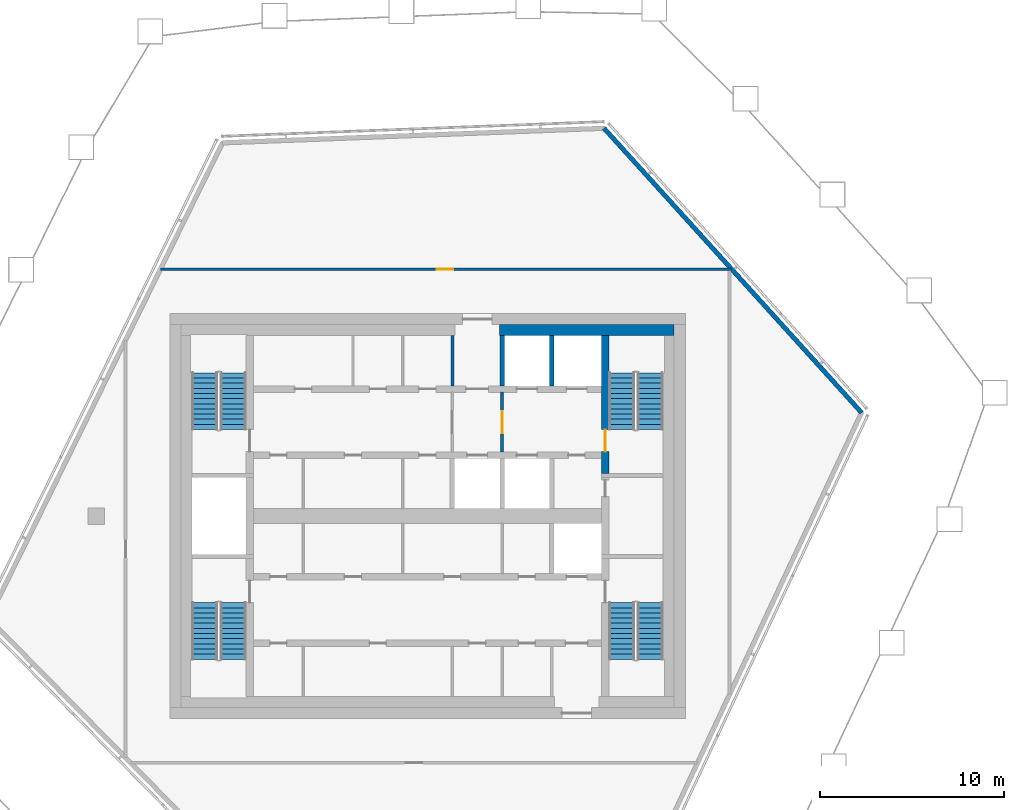
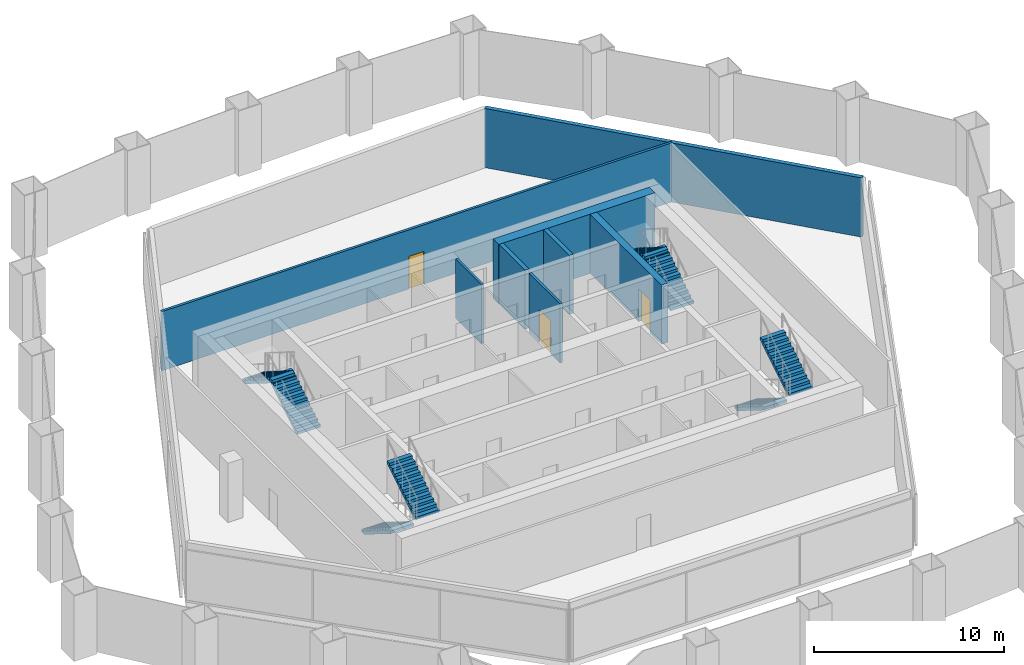
# One storey, part 9 of 18: 8 stair flights, 8 walls, 3 doors, 3 openings, 4 elements without a shape of their own.
"""IFC4 building model written with IfcOpenShell, lengths in metres."""

from ifc_helpers import new_model, si_unit, direction, frame, frame_2d, origin, place, context, subcontext, project, spatial, polyline, rectangle, outline, extrude, material, layer, layer_set, type_object, element, fill, aggregate, save


model = new_model("IFC4")

# Units and contexts
model_context = context("Model", 3, precision=1e-05, world=origin(), true_north=direction((0.0, 1.0)))
body_context = subcontext(model_context, "Body", "Model", "MODEL_VIEW")
ifc_project = project(units=[si_unit("LENGTHUNIT", "METRE"), si_unit("AREAUNIT", "SQUARE_METRE"), si_unit("VOLUMEUNIT", "CUBIC_METRE"), si_unit("PLANEANGLEUNIT", "RADIAN"), si_unit("MASSUNIT", "GRAM", prefix="KILO")], contexts=[model_context])

# Site, building, storey
site_placement = place(None, origin())
site = spatial("IfcSite", under=ifc_project, at=site_placement, CompositionType="ELEMENT")
building_placement = place(site_placement, origin())
building = spatial("IfcBuilding", under=site, at=building_placement, Name="Dongbaek Canopy Tower", CompositionType="ELEMENT")
storey_placement = place(building_placement, frame((0.0, 0.0, 367.39990234375)))
storey = spatial("IfcBuildingStorey", under=building, at=storey_placement, Name="L79", CompositionType="ELEMENT", Elevation=367.39990234375)

# Wall
ifc_material_1 = material(Name="Concrete C60/75", Category="concrete")
ifc_layer_1 = layer(ifc_material_1, 0.60009765625)
ifc_layer_set_1 = layer_set([ifc_layer_1], Name="Core wall lining 600 Concrete C60/75")
wall_type_1 = type_object("IfcWallType", Name="Core wall lining 600 Concrete C60/75", PredefinedType="SHEAR", material=ifc_layer_set_1)
wall_1_placement = place(storey_placement, frame((3.89990234375, 10.10009765625, 0.0), z_axis=(0.0, 0.0, 1.0), x_axis=(1.0, 0.0, 0.0)))
element("IfcWall", 1, at=wall_1_placement, inside=storey, type_object=wall_type_1, Name="Core wall lining", PredefinedType="SHEAR", context=body_context, shape_type="SweptSolid", body=[
    extrude(rectangle(XDim=9.5, YDim=0.60009765625, at=frame_2d((4.75, 0.0))), origin(), (0.0, 0.0, 1.0), 3.800048828125),
])

# Wall, opening, door
ifc_material_2 = material(Name="Gypsum board partition, steel stud, 2 x 15 mm fire board", Category="steel")
ifc_layer_2 = layer(ifc_material_2, 0.14990234375)
ifc_layer_set_2 = layer_set([ifc_layer_2], Name="Fire-rated partition 150 gypsum board")
wall_type_2 = type_object("IfcWallType", Name="Fire-rated partition 150 gypsum board", PredefinedType="PARTITIONING", material=ifc_layer_set_2)
wall_2_placement = place(storey_placement, frame((-14.499755859375, 13.39990234375, 0.0), z_axis=(0.0, 0.0, 1.0), x_axis=(1.0, 0.0, 0.0)))
wall_2 = element("IfcWall", 2, at=wall_2_placement, inside=storey, type_object=wall_type_2, Name="Corridor partition", PredefinedType="PARTITIONING", context=body_context, shape_type="SweptSolid", body=[
    extrude(rectangle(XDim=30.974853515625, YDim=0.14990234375, at=frame_2d((15.4873046875, 0.0))), origin(), (0.0, 0.0, 1.0), 3.800048828125),
])
opening_1_placement = place(wall_2_placement, frame((15.0, 0.0, 0.0)))
opening_1 = element("IfcOpeningElement", 3, at=opening_1_placement, cuts=wall_2, Name="Opening L79-D003", PredefinedType="OPENING", context=body_context, shape_type="SweptSolid", body=[
    extrude(rectangle(XDim=0.89990234375, YDim=2.10009765625, at=frame_2d((0.449951171875, 1.050048828125))), frame((0.0, 0.0849609375, 0.0), z_axis=(0.0, -1.0, 0.0), x_axis=(1.0, 0.0, 0.0)), (0.0, 0.0, 1.0), 0.169921875),
])
ifc_material_3 = material(Name="Timber veneered door leaf", Category="wood")
door_type_1 = type_object("IfcDoorType", Name="Store door 900 x 2100", OperationType="SINGLE_SWING_LEFT", PredefinedType="DOOR", material=ifc_material_3)
door_1_placement = place(opening_1_placement, origin())
door_1 = element("IfcDoor", 4, at=door_1_placement, inside=storey, type_object=door_type_1, Name="Door L79-D003", OperationType="SINGLE_SWING_RIGHT", OverallHeight=2.10009765625, OverallWidth=0.89990234375, PredefinedType="DOOR", context=body_context, shape_type="SweptSolid", body=[
    extrude(rectangle(XDim=0.89990234375, YDim=2.10009765625, at=frame_2d((0.449951171875, 1.050048828125))), frame((0.0, 0.02490234375, 0.0), z_axis=(0.0, -1.0, 0.0), x_axis=(1.0, 0.0, 0.0)), (0.0, 0.0, 1.0), 0.050048828125),
])
fill(opening_1, door_1)

wall_3_placement = place(storey_placement, frame((4.050048828125, 6.72509765625, 0.0), z_axis=(0.0, 0.0, 1.0), x_axis=(0.0, -1.0, 0.0)))
wall_3 = element("IfcWall", 5, at=wall_3_placement, inside=storey, type_object=wall_type_2, Name="Fire lobby partition", PredefinedType="PARTITIONING", context=body_context, shape_type="SweptSolid", body=[
    extrude(rectangle(XDim=3.25, YDim=0.14990234375, at=frame_2d((1.625, 0.0))), origin(), (0.0, 0.0, 1.0), 3.800048828125),
])
opening_2_placement = place(wall_3_placement, frame((1.02490234375, 0.0, 0.0)))
opening_2 = element("IfcOpeningElement", 6, at=opening_2_placement, cuts=wall_3, Name="Opening L79-D034", PredefinedType="OPENING", context=body_context, shape_type="SweptSolid", body=[
    extrude(rectangle(XDim=1.199951171875, YDim=2.10009765625, at=frame_2d((0.60009765625, 1.050048828125))), frame((0.0, 0.0849609375, 0.0), z_axis=(0.0, -1.0, 0.0), x_axis=(1.0, 0.0, 0.0)), (0.0, 0.0, 1.0), 0.169921875),
])
ifc_material_4 = material(Name="Steel", Category="steel")
door_type_2 = type_object("IfcDoorType", Name="Fire lobby door 1200 x 2100", OperationType="SINGLE_SWING_LEFT", PredefinedType="DOOR", material=ifc_material_4)
door_2_placement = place(opening_2_placement, origin())
door_2 = element("IfcDoor", 7, at=door_2_placement, inside=storey, type_object=door_type_2, Name="Door L79-D034", OperationType="SINGLE_SWING_RIGHT", OverallHeight=2.10009765625, OverallWidth=1.199951171875, PredefinedType="DOOR", context=body_context, shape_type="SweptSolid", body=[
    extrude(rectangle(XDim=1.199951171875, YDim=2.10009765625, at=frame_2d((0.60009765625, 1.050048828125))), frame((0.0, 0.02490234375, 0.0), z_axis=(0.0, -1.0, 0.0), x_axis=(1.0, 0.0, 0.0)), (0.0, 0.0, 1.0), 0.050048828125),
])
fill(opening_2, door_2)

# Walls
wall_4_placement = place(storey_placement, frame((1.35009765625, 7.074951171875, 0.0), z_axis=(0.0, 0.0, 1.0), x_axis=(0.0, 1.0, 0.0)))
element("IfcWall", 8, at=wall_4_placement, inside=storey, type_object=wall_type_2, Name="Fire lobby partition", PredefinedType="PARTITIONING", context=body_context, shape_type="SweptSolid", body=[
    extrude(rectangle(XDim=2.72509765625, YDim=0.14990234375, at=frame_2d((1.362548828125, 0.0))), origin(), (0.0, 0.0, 1.0), 3.800048828125),
])
ifc_material_5 = material(Name="Concrete C40/50", Category="concrete")
ifc_layer_3 = layer(ifc_material_5, 0.25)
ifc_layer_set_3 = layer_set([ifc_layer_3], Name="Lift shaft wall 250 Concrete C40/50")
wall_type_3 = type_object("IfcWallType", Name="Lift shaft wall 250 Concrete C40/50", PredefinedType="SOLIDWALL", material=ifc_layer_set_3)
for number, where, z_axis, x_axis, name in (
    (9, (6.75, 7.074951171875, 0.0), (0.0, 0.0, 1.0), (0.0, 1.0, 0.0), "Lift shaft wall"),
    (10, (4.050048828125, 7.074951171875, 0.0), (0.0, 0.0, 1.0), (0.0, 1.0, 0.0), "Lift shaft wall"),
):
    element("IfcWall", number, at=place(storey_placement, frame(where, z_axis=z_axis, x_axis=x_axis)), inside=storey, type_object=wall_type_3, Name=name, PredefinedType="SOLIDWALL", context=body_context, shape_type="SweptSolid", body=[
        extrude(rectangle(XDim=2.72509765625, YDim=0.25, at=frame_2d((1.362548828125, 0.0))), origin(), (0.0, 0.0, 1.0), 3.800048828125),
    ])
ifc_material_6 = material(Name="Pale metal cladding on insulated wall")
ifc_layer_4 = layer(ifc_material_6, 0.25)
ifc_layer_set_4 = layer_set([ifc_layer_4], Name="Plant floor wall 250")
wall_type_4 = type_object("IfcWallType", Name="Plant floor wall 250", PredefinedType="SOLIDWALL", material=ifc_layer_set_4)
wall_5_placement = place(storey_placement, frame((23.582763671875, 5.61376953125, 0.0), z_axis=(0.0, 0.0, 1.0), x_axis=(-0.671256862452, 0.741224813812, 0.0)))
element("IfcWall", 11, at=wall_5_placement, inside=storey, type_object=wall_type_4, Name="Plant wall L79 F2 1", PredefinedType="SOLIDWALL", context=body_context, shape_type="SweptSolid", body=[
    extrude(rectangle(XDim=20.855712890625, YDim=0.25, at=frame_2d((10.427734375, 0.0))), origin(), (0.0, 0.0, 1.0), 3.800048828125),
])

# Wall, opening, door
ifc_material_7 = material(Name="Concrete C60/75", Category="concrete")
ifc_layer_5 = layer(ifc_material_7, 0.39990234375)
ifc_layer_set_5 = layer_set([ifc_layer_5], Name="Stair wall 400 Concrete C60/75")
wall_type_5 = type_object("IfcWallType", Name="Stair wall 400 Concrete C60/75", PredefinedType="SHEAR", material=ifc_layer_set_5)
wall_6_placement = place(storey_placement, frame((9.64990234375, 9.800048828125, 0.0), z_axis=(0.0, 0.0, 1.0), x_axis=(0.0, -1.0, 0.0)))
wall_6 = element("IfcWall", 12, at=wall_6_placement, inside=storey, type_object=wall_type_5, Name="Stair wall", PredefinedType="SHEAR", context=body_context, shape_type="SweptSolid", body=[
    extrude(rectangle(XDim=7.5, YDim=0.39990234375, at=frame_2d((3.75, 0.0))), origin(), (0.0, 0.0, 1.0), 3.800048828125),
])
opening_3_placement = place(wall_6_placement, frame((5.10009765625, 0.0, 0.0)))
opening_3 = element("IfcOpeningElement", 13, at=opening_3_placement, cuts=wall_6, Name="Opening L79-D029", PredefinedType="OPENING", context=body_context, shape_type="SweptSolid", body=[
    extrude(rectangle(XDim=1.199951171875, YDim=2.10009765625, at=frame_2d((0.60009765625, 1.050048828125))), frame((0.0, 0.2099609375, 0.0), z_axis=(0.0, -1.0, 0.0), x_axis=(1.0, 0.0, 0.0)), (0.0, 0.0, 1.0), 0.419921875),
])
ifc_material_8 = material(Name="Steel", Category="steel")
door_type_3 = type_object("IfcDoorType", Name="Stair door 1200 x 2100", OperationType="SINGLE_SWING_LEFT", PredefinedType="DOOR", material=ifc_material_8)
door_3_placement = place(opening_3_placement, origin())
door_3 = element("IfcDoor", 14, at=door_3_placement, inside=storey, type_object=door_type_3, Name="Stair A door", OperationType="SINGLE_SWING_LEFT", OverallHeight=2.10009765625, OverallWidth=1.199951171875, PredefinedType="DOOR", context=body_context, shape_type="SweptSolid", body=[
    extrude(rectangle(XDim=1.199951171875, YDim=2.10009765625, at=frame_2d((0.60009765625, 1.050048828125))), frame((0.0, 0.02490234375, 0.0), z_axis=(0.0, -1.0, 0.0), x_axis=(1.0, 0.0, 0.0)), (0.0, 0.0, 1.0), 0.050048828125),
])
fill(opening_3, door_3)

# Stair, stair flights
ifc_material_9 = material(Name="Concrete C40/50", Category="concrete")
stair_type = type_object("IfcStairType", Name="Core exit stair", PredefinedType="HALF_TURN_STAIR", material=ifc_material_9)
stair_1_placement = place(storey_placement, origin())
stair_1 = element("IfcStair", 15, at=stair_1_placement, inside=storey, type_object=stair_type, Name="L79 exit stair A", PredefinedType="HALF_TURN_STAIR")
ifc_material_10 = material(Name="Concrete C40/50", Category="concrete")
ifc_layer_6 = layer(ifc_material_10, 0.14990234375)
ifc_layer_set_6 = layer_set([ifc_layer_6], Name="Core stair flight 150 waist")
stair_flight_type = type_object("IfcStairFlightType", Name="Core stair flight 150 waist", PredefinedType="STRAIGHT", material=ifc_layer_set_6)
stair_flight_1_placement = place(storey_placement, frame((12.10009765625, 4.699951171875, 0.0), z_axis=(0.0, 0.0, 1.0), x_axis=(0.0, 1.0, 0.0)))
stair_flight_1 = element("IfcStairFlight", 16, at=stair_flight_1_placement, type_object=stair_flight_type, Name="ST-A flight 1", NumberOfRisers=12, NumberOfTreads=11, PredefinedType="STRAIGHT", RiserHeight=0.175, TreadLength=0.28, context=body_context, shape_type="SweptSolid", body=[
    extrude(outline(polyline([(0.0, 0.0), (0.0, 0.175048828125), (0.280029296875, 0.175048828125), (0.280029296875, 0.35009765625), (0.56005859375, 0.35009765625), (0.56005859375, 0.52490234375), (0.840087890625, 0.52490234375), (0.840087890625, 0.699951171875), (1.1201171875, 0.699951171875), (1.1201171875, 0.875), (1.39990234375, 0.875), (1.39990234375, 1.050048828125), (1.679931640625, 1.050048828125), (1.679931640625, 1.22509765625), (1.9599609375, 1.22509765625), (1.9599609375, 1.39990234375), (2.239990234375, 1.39990234375), (2.239990234375, 1.574951171875), (2.52001953125, 1.574951171875), (2.52001953125, 1.75), (2.800048828125, 1.75), (2.800048828125, 1.925048828125), (3.080078125, 1.925048828125), (3.080078125, 2.10009765625), (3.080078125, 1.748291015625), (0.28271484375, 0.0), (0.0, 0.0)])), frame((0.0, 0.699951171875, 0.0), z_axis=(0.0, -1.0, 0.0), x_axis=(1.0, 0.0, 0.0)), (0.0, 0.0, 1.0), 1.39990234375),
])
stair_flight_2_placement = place(storey_placement, frame((10.550048828125, 7.780029296875, 2.10009765625), z_axis=(0.0, 0.0, 1.0), x_axis=(0.0, -1.0, 0.0)))
stair_flight_2 = element("IfcStairFlight", 17, at=stair_flight_2_placement, type_object=stair_flight_type, Name="ST-A flight 2", NumberOfRisers=12, NumberOfTreads=11, PredefinedType="STRAIGHT", RiserHeight=0.175, TreadLength=0.28, context=body_context, shape_type="SweptSolid", body=[
    extrude(outline(polyline([(0.0, 0.0), (0.0, 0.175048828125), (0.280029296875, 0.175048828125), (0.280029296875, 0.35009765625), (0.56005859375, 0.35009765625), (0.56005859375, 0.52490234375), (0.840087890625, 0.52490234375), (0.840087890625, 0.699951171875), (1.1201171875, 0.699951171875), (1.1201171875, 0.875), (1.39990234375, 0.875), (1.39990234375, 1.050048828125), (1.679931640625, 1.050048828125), (1.679931640625, 1.22509765625), (1.9599609375, 1.22509765625), (1.9599609375, 1.39990234375), (2.239990234375, 1.39990234375), (2.239990234375, 1.574951171875), (2.52001953125, 1.574951171875), (2.52001953125, 1.75), (2.800048828125, 1.75), (2.800048828125, 1.925048828125), (3.080078125, 1.925048828125), (3.080078125, 2.10009765625), (3.080078125, 1.748291015625), (0.28271484375, 0.0), (0.0, 0.0)])), frame((0.0, 0.699951171875, 0.0), z_axis=(0.0, -1.0, 0.0), x_axis=(1.0, 0.0, 0.0)), (0.0, 0.0, 1.0), 1.39990234375),
])
aggregate(stair_1, [stair_flight_1, stair_flight_2])

stair_2_placement = place(storey_placement, origin())
stair_2 = element("IfcStair", 18, at=stair_2_placement, inside=storey, type_object=stair_type, Name="L79 exit stair C", PredefinedType="HALF_TURN_STAIR")
stair_flight_3_placement = place(storey_placement, frame((-10.550048828125, 4.699951171875, 0.0), z_axis=(0.0, 0.0, 1.0), x_axis=(0.0, 1.0, 0.0)))
stair_flight_3 = element("IfcStairFlight", 19, at=stair_flight_3_placement, type_object=stair_flight_type, Name="ST-C flight 1", NumberOfRisers=12, NumberOfTreads=11, PredefinedType="STRAIGHT", RiserHeight=0.175, TreadLength=0.28, context=body_context, shape_type="SweptSolid", body=[
    extrude(outline(polyline([(0.0, 0.0), (0.0, 0.175048828125), (0.280029296875, 0.175048828125), (0.280029296875, 0.35009765625), (0.56005859375, 0.35009765625), (0.56005859375, 0.52490234375), (0.840087890625, 0.52490234375), (0.840087890625, 0.699951171875), (1.1201171875, 0.699951171875), (1.1201171875, 0.875), (1.39990234375, 0.875), (1.39990234375, 1.050048828125), (1.679931640625, 1.050048828125), (1.679931640625, 1.22509765625), (1.9599609375, 1.22509765625), (1.9599609375, 1.39990234375), (2.239990234375, 1.39990234375), (2.239990234375, 1.574951171875), (2.52001953125, 1.574951171875), (2.52001953125, 1.75), (2.800048828125, 1.75), (2.800048828125, 1.925048828125), (3.080078125, 1.925048828125), (3.080078125, 2.10009765625), (3.080078125, 1.748291015625), (0.28271484375, 0.0), (0.0, 0.0)])), frame((0.0, 0.699951171875, 0.0), z_axis=(0.0, -1.0, 0.0), x_axis=(1.0, 0.0, 0.0)), (0.0, 0.0, 1.0), 1.39990234375),
])
stair_flight_4_placement = place(storey_placement, frame((-12.10009765625, 7.780029296875, 2.10009765625), z_axis=(0.0, 0.0, 1.0), x_axis=(0.0, -1.0, 0.0)))
stair_flight_4 = element("IfcStairFlight", 20, at=stair_flight_4_placement, type_object=stair_flight_type, Name="ST-C flight 2", NumberOfRisers=12, NumberOfTreads=11, PredefinedType="STRAIGHT", RiserHeight=0.175, TreadLength=0.28, context=body_context, shape_type="SweptSolid", body=[
    extrude(outline(polyline([(0.0, 0.0), (0.0, 0.175048828125), (0.280029296875, 0.175048828125), (0.280029296875, 0.35009765625), (0.56005859375, 0.35009765625), (0.56005859375, 0.52490234375), (0.840087890625, 0.52490234375), (0.840087890625, 0.699951171875), (1.1201171875, 0.699951171875), (1.1201171875, 0.875), (1.39990234375, 0.875), (1.39990234375, 1.050048828125), (1.679931640625, 1.050048828125), (1.679931640625, 1.22509765625), (1.9599609375, 1.22509765625), (1.9599609375, 1.39990234375), (2.239990234375, 1.39990234375), (2.239990234375, 1.574951171875), (2.52001953125, 1.574951171875), (2.52001953125, 1.75), (2.800048828125, 1.75), (2.800048828125, 1.925048828125), (3.080078125, 1.925048828125), (3.080078125, 2.10009765625), (3.080078125, 1.748291015625), (0.28271484375, 0.0), (0.0, 0.0)])), frame((0.0, 0.699951171875, 0.0), z_axis=(0.0, -1.0, 0.0), x_axis=(1.0, 0.0, 0.0)), (0.0, 0.0, 1.0), 1.39990234375),
])
aggregate(stair_2, [stair_flight_3, stair_flight_4])

stair_3_placement = place(storey_placement, origin())
stair_3 = element("IfcStair", 21, at=stair_3_placement, inside=storey, type_object=stair_type, Name="L79 exit stair B", PredefinedType="HALF_TURN_STAIR")
stair_flight_5_placement = place(storey_placement, frame((10.550048828125, -4.699951171875, 0.0), z_axis=(0.0, 0.0, 1.0), x_axis=(0.0, -1.0, 0.0)))
stair_flight_5 = element("IfcStairFlight", 22, at=stair_flight_5_placement, type_object=stair_flight_type, Name="ST-B flight 1", NumberOfRisers=12, NumberOfTreads=11, PredefinedType="STRAIGHT", RiserHeight=0.175, TreadLength=0.28, context=body_context, shape_type="SweptSolid", body=[
    extrude(outline(polyline([(0.0, 0.0), (0.0, 0.175048828125), (0.280029296875, 0.175048828125), (0.280029296875, 0.35009765625), (0.56005859375, 0.35009765625), (0.56005859375, 0.52490234375), (0.840087890625, 0.52490234375), (0.840087890625, 0.699951171875), (1.1201171875, 0.699951171875), (1.1201171875, 0.875), (1.39990234375, 0.875), (1.39990234375, 1.050048828125), (1.679931640625, 1.050048828125), (1.679931640625, 1.22509765625), (1.9599609375, 1.22509765625), (1.9599609375, 1.39990234375), (2.239990234375, 1.39990234375), (2.239990234375, 1.574951171875), (2.52001953125, 1.574951171875), (2.52001953125, 1.75), (2.800048828125, 1.75), (2.800048828125, 1.925048828125), (3.080078125, 1.925048828125), (3.080078125, 2.10009765625), (3.080078125, 1.748291015625), (0.28271484375, 0.0), (0.0, 0.0)])), frame((0.0, 0.699951171875, 0.0), z_axis=(0.0, -1.0, 0.0), x_axis=(1.0, 0.0, 0.0)), (0.0, 0.0, 1.0), 1.39990234375),
])
stair_flight_6_placement = place(storey_placement, frame((12.10009765625, -7.780029296875, 2.10009765625), z_axis=(0.0, 0.0, 1.0), x_axis=(0.0, 1.0, 0.0)))
stair_flight_6 = element("IfcStairFlight", 23, at=stair_flight_6_placement, type_object=stair_flight_type, Name="ST-B flight 2", NumberOfRisers=12, NumberOfTreads=11, PredefinedType="STRAIGHT", RiserHeight=0.175, TreadLength=0.28, context=body_context, shape_type="SweptSolid", body=[
    extrude(outline(polyline([(0.0, 0.0), (0.0, 0.175048828125), (0.280029296875, 0.175048828125), (0.280029296875, 0.35009765625), (0.56005859375, 0.35009765625), (0.56005859375, 0.52490234375), (0.840087890625, 0.52490234375), (0.840087890625, 0.699951171875), (1.1201171875, 0.699951171875), (1.1201171875, 0.875), (1.39990234375, 0.875), (1.39990234375, 1.050048828125), (1.679931640625, 1.050048828125), (1.679931640625, 1.22509765625), (1.9599609375, 1.22509765625), (1.9599609375, 1.39990234375), (2.239990234375, 1.39990234375), (2.239990234375, 1.574951171875), (2.52001953125, 1.574951171875), (2.52001953125, 1.75), (2.800048828125, 1.75), (2.800048828125, 1.925048828125), (3.080078125, 1.925048828125), (3.080078125, 2.10009765625), (3.080078125, 1.748291015625), (0.28271484375, 0.0), (0.0, 0.0)])), frame((0.0, 0.699951171875, 0.0), z_axis=(0.0, -1.0, 0.0), x_axis=(1.0, 0.0, 0.0)), (0.0, 0.0, 1.0), 1.39990234375),
])
aggregate(stair_3, [stair_flight_5, stair_flight_6])

stair_4_placement = place(storey_placement, origin())
stair_4 = element("IfcStair", 24, at=stair_4_placement, inside=storey, type_object=stair_type, Name="L79 exit stair D", PredefinedType="HALF_TURN_STAIR")
stair_flight_7_placement = place(storey_placement, frame((-12.10009765625, -4.699951171875, 0.0), z_axis=(0.0, 0.0, 1.0), x_axis=(0.0, -1.0, 0.0)))
stair_flight_7 = element("IfcStairFlight", 25, at=stair_flight_7_placement, type_object=stair_flight_type, Name="ST-D flight 1", NumberOfRisers=12, NumberOfTreads=11, PredefinedType="STRAIGHT", RiserHeight=0.175, TreadLength=0.28, context=body_context, shape_type="SweptSolid", body=[
    extrude(outline(polyline([(0.0, 0.0), (0.0, 0.175048828125), (0.280029296875, 0.175048828125), (0.280029296875, 0.35009765625), (0.56005859375, 0.35009765625), (0.56005859375, 0.52490234375), (0.840087890625, 0.52490234375), (0.840087890625, 0.699951171875), (1.1201171875, 0.699951171875), (1.1201171875, 0.875), (1.39990234375, 0.875), (1.39990234375, 1.050048828125), (1.679931640625, 1.050048828125), (1.679931640625, 1.22509765625), (1.9599609375, 1.22509765625), (1.9599609375, 1.39990234375), (2.239990234375, 1.39990234375), (2.239990234375, 1.574951171875), (2.52001953125, 1.574951171875), (2.52001953125, 1.75), (2.800048828125, 1.75), (2.800048828125, 1.925048828125), (3.080078125, 1.925048828125), (3.080078125, 2.10009765625), (3.080078125, 1.748291015625), (0.28271484375, 0.0), (0.0, 0.0)])), frame((0.0, 0.699951171875, 0.0), z_axis=(0.0, -1.0, 0.0), x_axis=(1.0, 0.0, 0.0)), (0.0, 0.0, 1.0), 1.39990234375),
])
stair_flight_8_placement = place(storey_placement, frame((-10.550048828125, -7.780029296875, 2.10009765625), z_axis=(0.0, 0.0, 1.0), x_axis=(0.0, 1.0, 0.0)))
stair_flight_8 = element("IfcStairFlight", 26, at=stair_flight_8_placement, type_object=stair_flight_type, Name="ST-D flight 2", NumberOfRisers=12, NumberOfTreads=11, PredefinedType="STRAIGHT", RiserHeight=0.175, TreadLength=0.28, context=body_context, shape_type="SweptSolid", body=[
    extrude(outline(polyline([(0.0, 0.0), (0.0, 0.175048828125), (0.280029296875, 0.175048828125), (0.280029296875, 0.35009765625), (0.56005859375, 0.35009765625), (0.56005859375, 0.52490234375), (0.840087890625, 0.52490234375), (0.840087890625, 0.699951171875), (1.1201171875, 0.699951171875), (1.1201171875, 0.875), (1.39990234375, 0.875), (1.39990234375, 1.050048828125), (1.679931640625, 1.050048828125), (1.679931640625, 1.22509765625), (1.9599609375, 1.22509765625), (1.9599609375, 1.39990234375), (2.239990234375, 1.39990234375), (2.239990234375, 1.574951171875), (2.52001953125, 1.574951171875), (2.52001953125, 1.75), (2.800048828125, 1.75), (2.800048828125, 1.925048828125), (3.080078125, 1.925048828125), (3.080078125, 2.10009765625), (3.080078125, 1.748291015625), (0.28271484375, 0.0), (0.0, 0.0)])), frame((0.0, 0.699951171875, 0.0), z_axis=(0.0, -1.0, 0.0), x_axis=(1.0, 0.0, 0.0)), (0.0, 0.0, 1.0), 1.39990234375),
])
aggregate(stair_4, [stair_flight_7, stair_flight_8])

save(model, "model.ifc")
